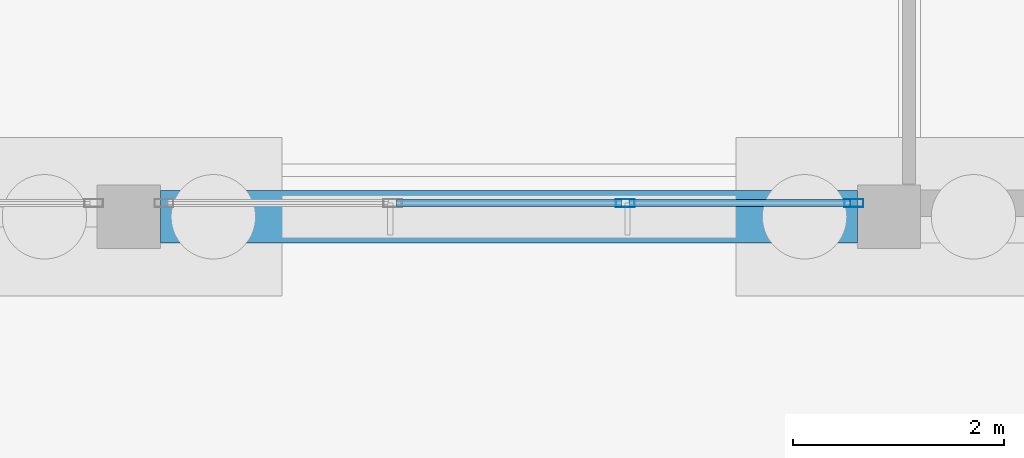
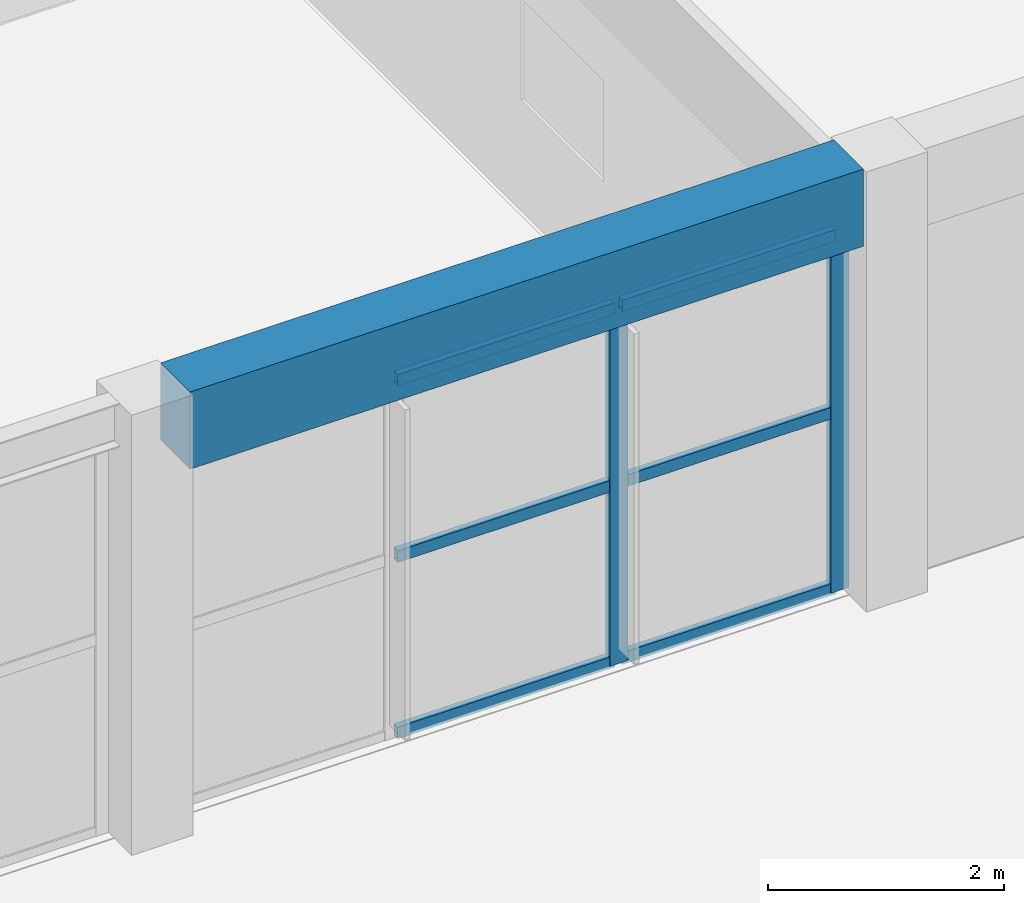
# One storey, part 40 of 155: 8 members, 1 beam, 1 element without a shape of its own.
"""IFC4 building model written with IfcOpenShell, lengths in metres."""

from ifc_helpers import new_model, si_unit, direction, frame, origin, origin_2d, place, context, subcontext, project, spatial, rectangle, hollow_rectangle, extrude, material, material_profile, profile_set, type_object, element, aggregate, save


model = new_model("IFC4")

# Units and contexts
model_context = context("Model", 3, precision=1e-05, world=origin(), true_north=direction((0.0, 1.0)))
body_context = subcontext(model_context, "Body", "Model", "MODEL_VIEW")
ifc_project = project(units=[si_unit("LENGTHUNIT", "METRE"), si_unit("AREAUNIT", "SQUARE_METRE"), si_unit("VOLUMEUNIT", "CUBIC_METRE"), si_unit("PLANEANGLEUNIT", "RADIAN"), si_unit("MASSUNIT", "GRAM", prefix="KILO")], contexts=[model_context])

# Site, building, storey
site_placement = place(None, origin())
site = spatial("IfcSite", under=ifc_project, at=site_placement, CompositionType="ELEMENT")
building_placement = place(site_placement, origin())
building = spatial("IfcBuilding", under=site, at=building_placement, Name="Bramvelor Terrace Health Centre", CompositionType="ELEMENT")
storey_placement = place(building_placement, origin())
storey = spatial("IfcBuildingStorey", under=building, at=storey_placement, Name="L01", CompositionType="ELEMENT", Elevation=0.0)

# Beam
ifc_material_1 = material(Name="Concrete C40/50", Category="concrete")
ifc_material_profile_1 = material_profile(ifc_material_1, rectangle(XDim=0.5, YDim=0.800048828125, at=origin_2d()), Name="RC 500x800")
ifc_profile_set_1 = profile_set([ifc_material_profile_1], Name="Concrete C40/50")
beam_type = type_object("IfcBeamType", Name="BM-RC-G800", PredefinedType="BEAM", material=ifc_profile_set_1)
beam_placement = place(storey_placement, frame((72.300048828125, 36.0, 4.159912109375), z_axis=(1.0, 0.0, 0.0), x_axis=(0.0, 1.0, 0.0)))
element("IfcBeam", 1, at=beam_placement, inside=storey, type_object=beam_type, Name="L01 Floor Girder", PredefinedType="BEAM", context=body_context, shape_type="SweptSolid", body=[
    extrude(rectangle(XDim=0.5, YDim=0.800048828125, at=origin_2d()), origin(), (0.0, 0.0, 1.0), 6.599853515625),
])

# Curtain wall, members
ifc_material_2 = material(Name="Anodized aluminium and double low-E glass", Category="aluminium")
curtain_wall_type = type_object("IfcCurtainWallType", Name="CW-SYS-02", PredefinedType="NOTDEFINED", material=ifc_material_2)
curtain_wall_placement = place(storey_placement, origin())
curtain_wall = element("IfcCurtainWall", 2, at=curtain_wall_placement, inside=storey, type_object=curtain_wall_type, Name="L01 Unitized Curtain Wall 49", PredefinedType="NOTDEFINED")
ifc_material_3 = material(Name="Anodized aluminium 6063-T6", Category="aluminium")
ifc_material_profile_2 = material_profile(ifc_material_3, hollow_rectangle(XDim=0.074951171875, YDim=0.179931640625, WallThickness=0.00341796875, at=origin_2d()), Name="ALU-MUL 75x180x3.5")
ifc_profile_set_2 = profile_set([ifc_material_profile_2], Name="Anodized aluminium 6063-T6")
member_type_1 = type_object("IfcMemberType", Name="CW-MUL-65x180", PredefinedType="MULLION", material=ifc_profile_set_2)
member_1_placement = place(storey_placement, frame((78.867431640625, 36.1298828125, 0.0), z_axis=(0.0, 0.0, 1.0), x_axis=(0.0, -1.0, 0.0)))
member_1 = element("IfcMember", 3, at=member_1_placement, type_object=member_type_1, Name="CW-02 mullion 1", PredefinedType="MULLION", context=body_context, shape_type="SweptSolid", body=[
    extrude(hollow_rectangle(XDim=0.074951171875, YDim=0.179931640625, WallThickness=0.00341796875, at=origin_2d()), origin(), (0.0, 0.0, 1.0), 3.719970703125),
])
member_2_placement = place(storey_placement, frame((76.70166015625, 36.1298828125, 0.0), z_axis=(0.0, 0.0, 1.0), x_axis=(0.0, -1.0, 0.0)))
member_2 = element("IfcMember", 4, at=member_2_placement, type_object=member_type_1, Name="CW-02 mullion 2", PredefinedType="MULLION", context=body_context, shape_type="SweptSolid", body=[
    extrude(hollow_rectangle(XDim=0.074951171875, YDim=0.179931640625, WallThickness=0.00341796875, at=origin_2d()), origin(), (0.0, 0.0, 1.0), 3.719970703125),
])
ifc_material_4 = material(Name="Anodized aluminium 6063-T6", Category="aluminium")
ifc_material_profile_3 = material_profile(ifc_material_4, hollow_rectangle(XDim=0.06494140625, YDim=0.1201171875, WallThickness=0.0029296875, at=origin_2d()), Name="ALU-TRN 65x120x3.0")
ifc_profile_set_3 = profile_set([ifc_material_profile_3], Name="Anodized aluminium 6063-T6")
member_type_2 = type_object("IfcMemberType", Name="CW-TRN-65x150", PredefinedType="USERDEFINED", material=ifc_profile_set_3)
member_3_placement = place(storey_placement, frame((78.830078125, 36.1298828125, 0.032470703125), z_axis=(-1.0, 0.0, 0.0), x_axis=(0.0, -1.0, 0.0)))
member_3 = element("IfcMember", 5, at=member_3_placement, type_object=member_type_2, Name="CW-02 transom 1.1", ObjectType="TRANSOM", PredefinedType="USERDEFINED", context=body_context, shape_type="SweptSolid", body=[
    extrude(hollow_rectangle(XDim=0.06494140625, YDim=0.1201171875, WallThickness=0.0029296875, at=origin_2d()), origin(), (0.0, 0.0, 1.0), 2.0908203125),
])
member_4_placement = place(storey_placement, frame((78.830078125, 36.1298828125, 1.860107421875), z_axis=(-1.0, 0.0, 0.0), x_axis=(0.0, -1.0, 0.0)))
member_4 = element("IfcMember", 6, at=member_4_placement, type_object=member_type_2, Name="CW-02 transom 1.2", ObjectType="TRANSOM", PredefinedType="USERDEFINED", context=body_context, shape_type="SweptSolid", body=[
    extrude(hollow_rectangle(XDim=0.06494140625, YDim=0.1201171875, WallThickness=0.0029296875, at=origin_2d()), origin(), (0.0, 0.0, 1.0), 2.0908203125),
])
member_5_placement = place(storey_placement, frame((78.830078125, 36.1298828125, 3.6875), z_axis=(-1.0, 0.0, 0.0), x_axis=(0.0, -1.0, 0.0)))
member_5 = element("IfcMember", 7, at=member_5_placement, type_object=member_type_2, Name="CW-02 transom 1.3", ObjectType="TRANSOM", PredefinedType="USERDEFINED", context=body_context, shape_type="SweptSolid", body=[
    extrude(hollow_rectangle(XDim=0.06494140625, YDim=0.1201171875, WallThickness=0.0029296875, at=origin_2d()), origin(), (0.0, 0.0, 1.0), 2.0908203125),
])
member_6_placement = place(storey_placement, frame((76.6640625, 36.1298828125, 0.032470703125), z_axis=(-1.0, 0.0, 0.0), x_axis=(0.0, -1.0, 0.0)))
member_6 = element("IfcMember", 8, at=member_6_placement, type_object=member_type_2, Name="CW-02 transom 2.1", ObjectType="TRANSOM", PredefinedType="USERDEFINED", context=body_context, shape_type="SweptSolid", body=[
    extrude(hollow_rectangle(XDim=0.06494140625, YDim=0.1201171875, WallThickness=0.0029296875, at=origin_2d()), origin(), (0.0, 0.0, 1.0), 2.128173828125),
])
member_7_placement = place(storey_placement, frame((76.6640625, 36.1298828125, 1.860107421875), z_axis=(-1.0, 0.0, 0.0), x_axis=(0.0, -1.0, 0.0)))
member_7 = element("IfcMember", 9, at=member_7_placement, type_object=member_type_2, Name="CW-02 transom 2.2", ObjectType="TRANSOM", PredefinedType="USERDEFINED", context=body_context, shape_type="SweptSolid", body=[
    extrude(hollow_rectangle(XDim=0.06494140625, YDim=0.1201171875, WallThickness=0.0029296875, at=origin_2d()), origin(), (0.0, 0.0, 1.0), 2.128173828125),
])
member_8_placement = place(storey_placement, frame((76.6640625, 36.1298828125, 3.6875), z_axis=(-1.0, 0.0, 0.0), x_axis=(0.0, -1.0, 0.0)))
member_8 = element("IfcMember", 10, at=member_8_placement, type_object=member_type_2, Name="CW-02 transom 2.3", ObjectType="TRANSOM", PredefinedType="USERDEFINED", context=body_context, shape_type="SweptSolid", body=[
    extrude(hollow_rectangle(XDim=0.06494140625, YDim=0.1201171875, WallThickness=0.0029296875, at=origin_2d()), origin(), (0.0, 0.0, 1.0), 2.128173828125),
])
aggregate(curtain_wall, [member_1, member_2, member_3, member_4, member_5, member_6, member_7, member_8])

save(model, "model.ifc")
